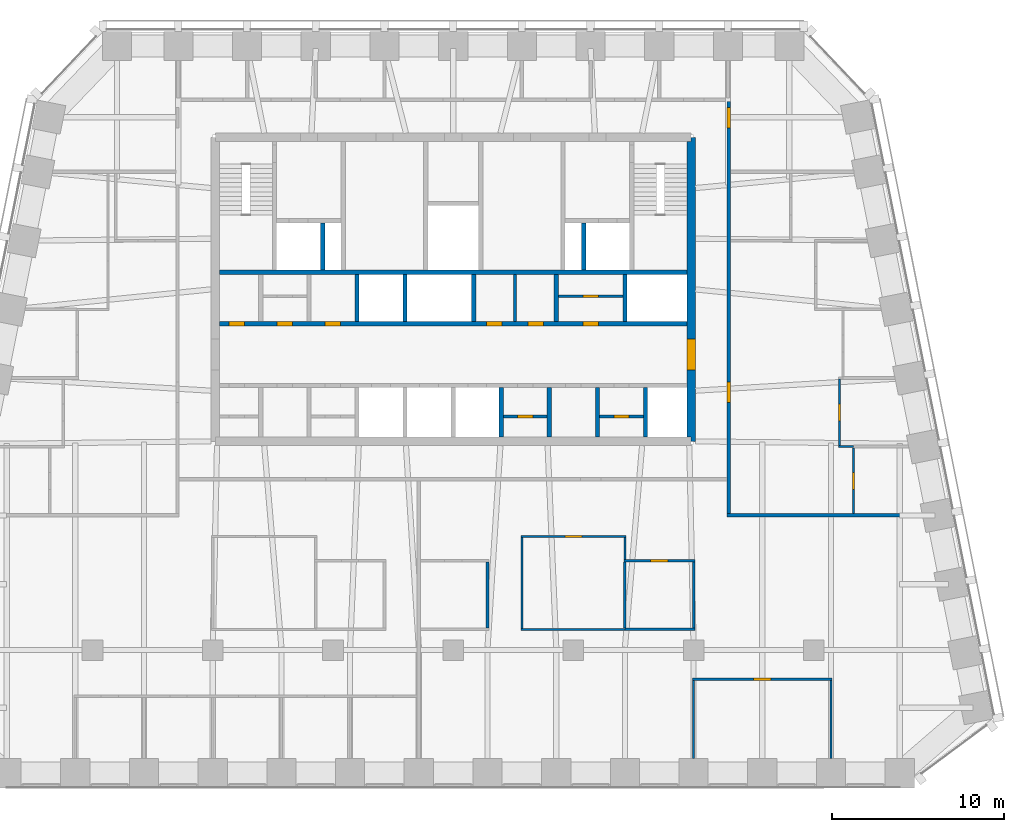
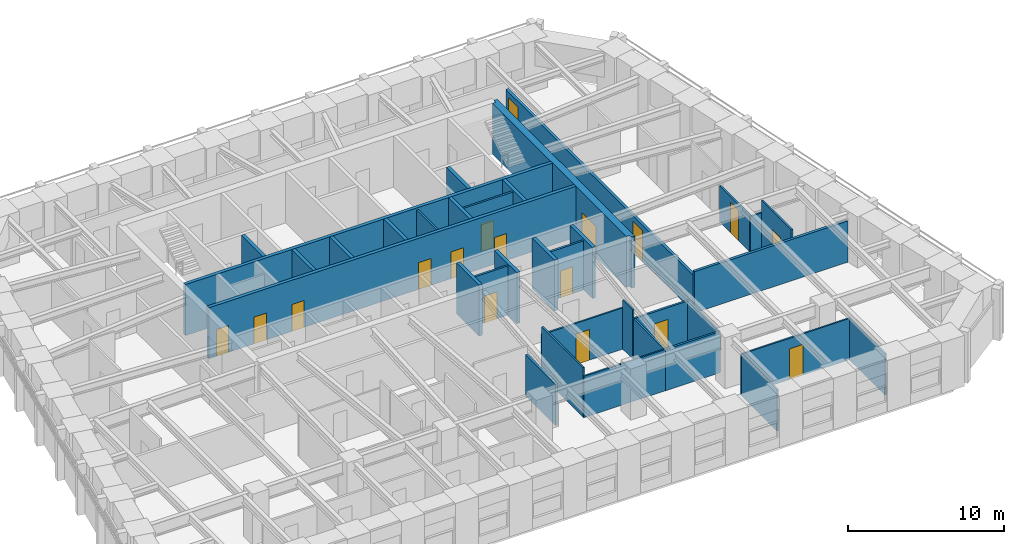
# One storey, part 7 of 11: 35 walls, 17 doors, 17 openings.
"""IFC4 building model written with IfcOpenShell, lengths in metres."""

from ifc_helpers import new_model, si_unit, direction, frame, frame_2d, origin, place, context, subcontext, project, spatial, polyline, rectangle, outline, extrude, material, layer, layer_set, type_object, element, fill, save


model = new_model("IFC4")

# Units and contexts
model_context = context("Model", 3, precision=1e-05, world=origin(), true_north=direction((0.0, 1.0)))
body_context = subcontext(model_context, "Body", "Model", "MODEL_VIEW")
ifc_project = project(units=[si_unit("LENGTHUNIT", "METRE"), si_unit("AREAUNIT", "SQUARE_METRE"), si_unit("VOLUMEUNIT", "CUBIC_METRE"), si_unit("PLANEANGLEUNIT", "RADIAN"), si_unit("MASSUNIT", "GRAM", prefix="KILO")], contexts=[model_context])

# Site, building, storey
site_placement = place(None, origin())
site = spatial("IfcSite", under=ifc_project, at=site_placement, CompositionType="ELEMENT")
building_placement = place(site_placement, origin())
building = spatial("IfcBuilding", under=site, at=building_placement, Name="Isbrekke Arena Tower", CompositionType="ELEMENT")
storey_placement = place(building_placement, frame((0.0, 0.0, 264.0)))
storey = spatial("IfcBuildingStorey", under=building, at=storey_placement, Name="L61", CompositionType="ELEMENT", Elevation=264.0)

# Wall, opening, door
ifc_material_1 = material(Name="Concrete B55 (C55/67)", Category="concrete")
ifc_layer_1 = layer(ifc_material_1, 0.5)
ifc_layer_set_1 = layer_set([ifc_layer_1], Name="CW5 CORE WALL 500")
wall_type_1 = type_object("IfcWallType", Name="CW5 CORE WALL 500", PredefinedType="SHEAR", material=ifc_layer_set_1)
wall_1_placement = place(storey_placement, frame((13.85009765625, 6.14990234375, 0.0), z_axis=(0.0, 0.0, 1.0), x_axis=(0.0, 1.0, 0.0)))
wall_1 = element("IfcWall", 1, at=wall_1_placement, inside=storey, type_object=wall_type_1, Name="Core wall E L61", PredefinedType="SHEAR", context=body_context, shape_type="SweptSolid", body=[
    extrude(outline(polyline([(0.0, -0.25), (17.7001953125, -0.25), (17.7001953125, 0.0), (17.4501953125, 0.0), (17.4501953125, 0.25), (0.25, 0.25), (0.25, 0.0), (0.0, 0.0), (0.0, -0.25)])), origin(), (0.0, 0.0, 1.0), 4.0),
])
opening_1_placement = place(wall_1_placement, frame((4.14990234375, 0.0, 0.0)))
opening_1 = element("IfcOpeningElement", 2, at=opening_1_placement, cuts=wall_1, Name="Opening D1", PredefinedType="OPENING", context=body_context, shape_type="SweptSolid", body=[
    extrude(rectangle(XDim=1.800048828125, YDim=2.39990234375, at=frame_2d((0.89990234375, 1.199951171875))), frame((0.0, 0.264892578125, 0.0), z_axis=(0.0, -1.0, 0.0), x_axis=(1.0, 0.0, 0.0)), (0.0, 0.0, 1.0), 0.52978515625),
])
ifc_material_2 = material(Name="Steel-framed glazed fire door", Category="steel")
door_type_1 = type_object("IfcDoorType", Name="D1 CORE LOBBY DOOR 1800 x 2400", OperationType="DOUBLE_DOOR_SINGLE_SWING", PredefinedType="DOOR", material=ifc_material_2)
door_1_placement = place(opening_1_placement, origin())
door_1 = element("IfcDoor", 3, at=door_1_placement, inside=storey, type_object=door_type_1, Name="D1 lift lobby door east L61", OperationType="DOUBLE_DOOR_SINGLE_SWING", OverallHeight=2.39990234375, OverallWidth=1.800048828125, PredefinedType="DOOR", context=body_context, shape_type="SweptSolid", body=[
    extrude(rectangle(XDim=1.800048828125, YDim=2.39990234375, at=frame_2d((0.89990234375, 1.199951171875))), frame((0.0, 0.249755859375, 0.0), z_axis=(0.0, -1.0, 0.0), x_axis=(1.0, 0.0, 0.0)), (0.0, 0.0, 1.0), 0.49951171875),
])
fill(opening_1, door_1)

# Wall, openings, doors
ifc_material_3 = material(Name="Concrete B45 (C45/55)", Category="concrete")
ifc_layer_2 = layer(ifc_material_3, 0.25)
ifc_layer_set_2 = layer_set([ifc_layer_2], Name="CW6 SHAFT WALL 250")
wall_type_2 = type_object("IfcWallType", Name="CW6 SHAFT WALL 250", PredefinedType="SHEAR", material=ifc_layer_set_2)
wall_2_placement = place(storey_placement, frame((-13.60009765625, 13.0, 0.0), z_axis=(0.0, 0.0, 1.0), x_axis=(1.0, 0.0, 0.0)))
wall_2 = element("IfcWall", 4, at=wall_2_placement, inside=storey, type_object=wall_type_2, Name="Core wall LN L61", PredefinedType="SHEAR", context=body_context, shape_type="SweptSolid", body=[
    extrude(rectangle(XDim=27.2001953125, YDim=0.25, at=frame_2d((13.60009765625, 0.0))), origin(), (0.0, 0.0, 1.0), 4.0),
])
opening_2_placement = place(wall_2_placement, frame((15.550048828125, 0.0, 0.0)))
opening_2 = element("IfcOpeningElement", 5, at=opening_2_placement, cuts=wall_2, Name="Opening D5", PredefinedType="OPENING", context=body_context, shape_type="SweptSolid", body=[
    extrude(rectangle(XDim=0.89990234375, YDim=2.10009765625, at=frame_2d((0.449951171875, 1.050048828125))), frame((0.0, 0.139892578125, 0.0), z_axis=(0.0, -1.0, 0.0), x_axis=(1.0, 0.0, 0.0)), (0.0, 0.0, 1.0), 0.27978515625),
])
opening_3_placement = place(wall_2_placement, frame((17.949951171875, 0.0, 0.0)))
opening_3 = element("IfcOpeningElement", 6, at=opening_3_placement, cuts=wall_2, Name="Opening D5", PredefinedType="OPENING", context=body_context, shape_type="SweptSolid", body=[
    extrude(rectangle(XDim=0.89990234375, YDim=2.10009765625, at=frame_2d((0.449951171875, 1.050048828125))), frame((0.0, 0.139892578125, 0.0), z_axis=(0.0, -1.0, 0.0), x_axis=(1.0, 0.0, 0.0)), (0.0, 0.0, 1.0), 0.27978515625),
])
opening_4_placement = place(wall_2_placement, frame((21.14990234375, 0.0, 0.0)))
opening_4 = element("IfcOpeningElement", 7, at=opening_4_placement, cuts=wall_2, Name="Opening D5", PredefinedType="OPENING", context=body_context, shape_type="SweptSolid", body=[
    extrude(rectangle(XDim=0.89990234375, YDim=2.10009765625, at=frame_2d((0.449951171875, 1.050048828125))), frame((0.0, 0.139892578125, 0.0), z_axis=(0.0, -1.0, 0.0), x_axis=(1.0, 0.0, 0.0)), (0.0, 0.0, 1.0), 0.27978515625),
])
opening_5_placement = place(wall_2_placement, frame((0.550048828125, 0.0, 0.0)))
opening_5 = element("IfcOpeningElement", 8, at=opening_5_placement, cuts=wall_2, Name="Opening D5", PredefinedType="OPENING", context=body_context, shape_type="SweptSolid", body=[
    extrude(rectangle(XDim=0.89990234375, YDim=2.10009765625, at=frame_2d((0.449951171875, 1.050048828125))), frame((0.0, 0.139892578125, 0.0), z_axis=(0.0, -1.0, 0.0), x_axis=(1.0, 0.0, 0.0)), (0.0, 0.0, 1.0), 0.27978515625),
])
opening_6_placement = place(wall_2_placement, frame((3.35009765625, 0.0, 0.0)))
opening_6 = element("IfcOpeningElement", 9, at=opening_6_placement, cuts=wall_2, Name="Opening D5", PredefinedType="OPENING", context=body_context, shape_type="SweptSolid", body=[
    extrude(rectangle(XDim=0.89990234375, YDim=2.10009765625, at=frame_2d((0.449951171875, 1.050048828125))), frame((0.0, 0.139892578125, 0.0), z_axis=(0.0, -1.0, 0.0), x_axis=(1.0, 0.0, 0.0)), (0.0, 0.0, 1.0), 0.27978515625),
])
opening_7_placement = place(wall_2_placement, frame((6.14990234375, 0.0, 0.0)))
opening_7 = element("IfcOpeningElement", 10, at=opening_7_placement, cuts=wall_2, Name="Opening D5", PredefinedType="OPENING", context=body_context, shape_type="SweptSolid", body=[
    extrude(rectangle(XDim=0.89990234375, YDim=2.10009765625, at=frame_2d((0.449951171875, 1.050048828125))), frame((0.0, 0.139892578125, 0.0), z_axis=(0.0, -1.0, 0.0), x_axis=(1.0, 0.0, 0.0)), (0.0, 0.0, 1.0), 0.27978515625),
])
ifc_material_4 = material(Name="Steel fire door", Category="steel")
door_type_2 = type_object("IfcDoorType", Name="D5 SERVICE DOOR 900 x 2100", OperationType="SINGLE_SWING_LEFT", PredefinedType="DOOR", material=ifc_material_4)
door_2_placement = place(opening_2_placement, origin())
door_2 = element("IfcDoor", 11, at=door_2_placement, inside=storey, type_object=door_type_2, Name="D5 cleaner's store door L61", OperationType="SINGLE_SWING_LEFT", OverallHeight=2.10009765625, OverallWidth=0.89990234375, PredefinedType="DOOR", context=body_context, shape_type="SweptSolid", body=[
    extrude(rectangle(XDim=0.89990234375, YDim=2.10009765625, at=frame_2d((0.449951171875, 1.050048828125))), frame((0.0, 0.124755859375, 0.0), z_axis=(0.0, -1.0, 0.0), x_axis=(1.0, 0.0, 0.0)), (0.0, 0.0, 1.0), 0.24951171875),
])
fill(opening_2, door_2)
door_3_placement = place(opening_3_placement, origin())
door_3 = element("IfcDoor", 12, at=door_3_placement, inside=storey, type_object=door_type_2, Name="D5 first-aid room door L61", OperationType="SINGLE_SWING_LEFT", OverallHeight=2.10009765625, OverallWidth=0.89990234375, PredefinedType="DOOR", context=body_context, shape_type="SweptSolid", body=[
    extrude(rectangle(XDim=0.89990234375, YDim=2.10009765625, at=frame_2d((0.449951171875, 1.050048828125))), frame((0.0, 0.124755859375, 0.0), z_axis=(0.0, -1.0, 0.0), x_axis=(1.0, 0.0, 0.0)), (0.0, 0.0, 1.0), 0.24951171875),
])
fill(opening_3, door_3)
door_4_placement = place(opening_4_placement, origin())
door_4 = element("IfcDoor", 13, at=door_4_placement, inside=storey, type_object=door_type_2, Name="D5 communications room door L61", OperationType="SINGLE_SWING_LEFT", OverallHeight=2.10009765625, OverallWidth=0.89990234375, PredefinedType="DOOR", context=body_context, shape_type="SweptSolid", body=[
    extrude(rectangle(XDim=0.89990234375, YDim=2.10009765625, at=frame_2d((0.449951171875, 1.050048828125))), frame((0.0, 0.124755859375, 0.0), z_axis=(0.0, -1.0, 0.0), x_axis=(1.0, 0.0, 0.0)), (0.0, 0.0, 1.0), 0.24951171875),
])
fill(opening_4, door_4)
door_5_placement = place(opening_5_placement, origin())
door_5 = element("IfcDoor", 14, at=door_5_placement, inside=storey, type_object=door_type_2, Name="D5 archive door L61", OperationType="SINGLE_SWING_LEFT", OverallHeight=2.10009765625, OverallWidth=0.89990234375, PredefinedType="DOOR", context=body_context, shape_type="SweptSolid", body=[
    extrude(rectangle(XDim=0.89990234375, YDim=2.10009765625, at=frame_2d((0.449951171875, 1.050048828125))), frame((0.0, 0.124755859375, 0.0), z_axis=(0.0, -1.0, 0.0), x_axis=(1.0, 0.0, 0.0)), (0.0, 0.0, 1.0), 0.24951171875),
])
fill(opening_5, door_5)
door_6_placement = place(opening_6_placement, origin())
door_6 = element("IfcDoor", 15, at=door_6_placement, inside=storey, type_object=door_type_2, Name="D5 tea point door L61", OperationType="SINGLE_SWING_LEFT", OverallHeight=2.10009765625, OverallWidth=0.89990234375, PredefinedType="DOOR", context=body_context, shape_type="SweptSolid", body=[
    extrude(rectangle(XDim=0.89990234375, YDim=2.10009765625, at=frame_2d((0.449951171875, 1.050048828125))), frame((0.0, 0.124755859375, 0.0), z_axis=(0.0, -1.0, 0.0), x_axis=(1.0, 0.0, 0.0)), (0.0, 0.0, 1.0), 0.24951171875),
])
fill(opening_6, door_6)
door_7_placement = place(opening_7_placement, origin())
door_7 = element("IfcDoor", 16, at=door_7_placement, inside=storey, type_object=door_type_2, Name="D5 technical room door L61", OperationType="SINGLE_SWING_LEFT", OverallHeight=2.10009765625, OverallWidth=0.89990234375, PredefinedType="DOOR", context=body_context, shape_type="SweptSolid", body=[
    extrude(rectangle(XDim=0.89990234375, YDim=2.10009765625, at=frame_2d((0.449951171875, 1.050048828125))), frame((0.0, 0.124755859375, 0.0), z_axis=(0.0, -1.0, 0.0), x_axis=(1.0, 0.0, 0.0)), (0.0, 0.0, 1.0), 0.24951171875),
])
fill(opening_7, door_7)

# Walls
wall_3_placement = place(storey_placement, frame((-13.60009765625, 16.0, 0.0), z_axis=(0.0, 0.0, 1.0), x_axis=(1.0, 0.0, 0.0)))
element("IfcWall", 17, at=wall_3_placement, inside=storey, type_object=wall_type_2, Name="Core wall NB L61", PredefinedType="SHEAR", context=body_context, shape_type="SweptSolid", body=[
    extrude(rectangle(XDim=27.2001953125, YDim=0.25, at=frame_2d((13.60009765625, 0.0))), origin(), (0.0, 0.0, 1.0), 4.0),
])
for number, where, z_axis, x_axis, name in (
    (18, (2.800048828125, 6.39990234375, 0.0), (0.0, 0.0, 1.0), (0.0, 1.0, 0.0), "Core wall SS06 L61"),
    (19, (5.60009765625, 6.39990234375, 0.0), (0.0, 0.0, 1.0), (0.0, 1.0, 0.0), "Core wall SS07 L61"),
    (20, (8.39990234375, 6.39990234375, 0.0), (0.0, 0.0, 1.0), (0.0, 1.0, 0.0), "Core wall SS08 L61"),
    (21, (11.199951171875, 6.39990234375, 0.0), (0.0, 0.0, 1.0), (0.0, 1.0, 0.0), "Core wall SS09 L61"),
):
    element("IfcWall", number, at=place(storey_placement, frame(where, z_axis=z_axis, x_axis=x_axis)), inside=storey, type_object=wall_type_2, Name=name, PredefinedType="SHEAR", context=body_context, shape_type="SweptSolid", body=[
        extrude(rectangle(XDim=2.875, YDim=0.25, at=frame_2d((1.4375, 0.0))), origin(), (0.0, 0.0, 1.0), 4.0),
    ])
for number, where, z_axis, x_axis, name in (
    (22, (-5.60009765625, 13.125, 0.0), (0.0, 0.0, 1.0), (0.0, 1.0, 0.0), "Core wall SN03 L61"),
    (23, (-2.800048828125, 13.125, 0.0), (0.0, 0.0, 1.0), (0.0, 1.0, 0.0), "Core wall SN04 L61"),
    (24, (1.199951171875, 13.125, 0.0), (0.0, 0.0, 1.0), (0.0, 1.0, 0.0), "Core wall SN05 L61"),
    (25, (6.0, 13.125, 0.0), (0.0, 0.0, 1.0), (0.0, 1.0, 0.0), "Core wall SN06 L61"),
    (26, (10.0, 13.125, 0.0), (0.0, 0.0, 1.0), (0.0, 1.0, 0.0), "Core wall SN07 L61"),
    (27, (-7.60009765625, 16.125, 0.0), (0.0, 0.0, 1.0), (0.0, 1.0, 0.0), "Core wall NFS1 L61"),
    (28, (7.60009765625, 16.125, 0.0), (0.0, 0.0, 1.0), (0.0, 1.0, 0.0), "Core wall NFS2 L61"),
):
    element("IfcWall", number, at=place(storey_placement, frame(where, z_axis=z_axis, x_axis=x_axis)), inside=storey, type_object=wall_type_2, Name=name, PredefinedType="SHEAR", context=body_context, shape_type="SweptSolid", body=[
        extrude(rectangle(XDim=2.75, YDim=0.25, at=frame_2d((1.375, 0.0))), origin(), (0.0, 0.0, 1.0), 4.0),
    ])
ifc_material_5 = material(Name="Gypsum board partition on steel studs", Category="steel")
ifc_layer_3 = layer(ifc_material_5, 0.14990234375)
ifc_layer_set_3 = layer_set([ifc_layer_3], Name="IW1 PARTITION 150")
wall_type_3 = type_object("IfcWallType", Name="IW1 PARTITION 150", PredefinedType="PARTITIONING", material=ifc_layer_set_3)
wall_4_placement = place(storey_placement, frame((10.0, -4.800048828125, 0.0), z_axis=(0.0, 0.0, 1.0), x_axis=(1.0, 0.0, 0.0)))
element("IfcWall", 29, at=wall_4_placement, inside=storey, type_object=wall_type_3, Name="IW1 partition 150 L61", PredefinedType="PARTITIONING", context=body_context, shape_type="SweptSolid", body=[
    extrude(rectangle(XDim=4.074951171875, YDim=0.14990234375, at=frame_2d((2.03759765625, 0.0))), origin(), (0.0, 0.0, 1.0), 3.22998046875),
])

# Wall, opening, door
wall_5_placement = place(storey_placement, frame((9.93994140625, -0.800048828125, 0.0), z_axis=(0.0, 0.0, 1.0), x_axis=(1.0, 0.0, 0.0)))
wall_5 = element("IfcWall", 30, at=wall_5_placement, inside=storey, type_object=wall_type_3, Name="IW1 partition 150 L61", PredefinedType="PARTITIONING", context=body_context, shape_type="SweptSolid", body=[
    extrude(rectangle(XDim=4.135009765625, YDim=0.14990234375, at=frame_2d((2.0673828125, 0.0))), origin(), (0.0, 0.0, 1.0), 3.22998046875),
])
opening_8_placement = place(wall_5_placement, frame((1.56005859375, 0.0, 0.0)))
opening_8 = element("IfcOpeningElement", 31, at=opening_8_placement, cuts=wall_5, Name="Opening D10", PredefinedType="OPENING", context=body_context, shape_type="SweptSolid", body=[
    extrude(rectangle(XDim=1.0, YDim=2.300048828125, at=frame_2d((0.5, 1.14990234375))), frame((0.0, 0.08984375, 0.0), z_axis=(0.0, -1.0, 0.0), x_axis=(1.0, 0.0, 0.0)), (0.0, 0.0, 1.0), 0.1796875),
])
ifc_material_6 = material(Name="Timber door", Category="wood")
door_type_3 = type_object("IfcDoorType", Name="D10 OFFICE DOOR 1000 x 2300", OperationType="SINGLE_SWING_LEFT", PredefinedType="DOOR", material=ifc_material_6)
door_8_placement = place(opening_8_placement, origin())
door_8 = element("IfcDoor", 32, at=door_8_placement, inside=storey, type_object=door_type_3, Name="D10 model store door L61", OperationType="SINGLE_SWING_LEFT", OverallHeight=2.300048828125, OverallWidth=1.0, PredefinedType="DOOR", context=body_context, shape_type="SweptSolid", body=[
    extrude(rectangle(XDim=1.0, YDim=2.300048828125, at=frame_2d((0.5, 1.14990234375))), frame((0.0, 0.07470703125, 0.0), z_axis=(0.0, -1.0, 0.0), x_axis=(1.0, 0.0, 0.0)), (0.0, 0.0, 1.0), 0.1494140625),
])
fill(opening_8, door_8)

# Walls
for number, where, z_axis, x_axis, name in (
    (33, (2.0, -4.72509765625, 0.0), (0.0, 0.0, 1.0), (0.0, 1.0, 0.0), "IW1 partition 150 L61"),
    (34, (10.0, -4.72509765625, 0.0), (0.0, 0.0, 1.0), (0.0, 1.0, 0.0), "IW1 partition 150 L61"),
    (35, (14.0, -4.72509765625, 0.0), (0.0, 0.0, 1.0), (0.0, 1.0, 0.0), "IW1 partition 150 L61"),
):
    element("IfcWall", number, at=place(storey_placement, frame(where, z_axis=z_axis, x_axis=x_axis)), inside=storey, type_object=wall_type_3, Name=name, PredefinedType="PARTITIONING", context=body_context, shape_type="SweptSolid", body=[
        extrude(rectangle(XDim=3.85009765625, YDim=0.14990234375, at=frame_2d((1.925048828125, 0.0))), origin(), (0.0, 0.0, 1.0), 3.22998046875),
    ])

# Wall, opening, door
ifc_material_7 = material(Name="Frameless glazed partition, laminated acoustic glass", Category="glass")
ifc_layer_4 = layer(ifc_material_7, 0.1201171875)
ifc_layer_set_4 = layer_set([ifc_layer_4], Name="IW2 GLAZED PARTITION 120")
wall_type_4 = type_object("IfcWallType", Name="IW2 GLAZED PARTITION 120", PredefinedType="PARTITIONING", material=ifc_layer_set_4)
wall_6_placement = place(storey_placement, frame((13.93994140625, -7.699951171875, 0.0), z_axis=(0.0, 0.0, 1.0), x_axis=(1.0, 0.0, 0.0)))
wall_6 = element("IfcWall", 36, at=wall_6_placement, inside=storey, type_object=wall_type_4, Name="IW2 glazed partition 120 L61", PredefinedType="PARTITIONING", context=body_context, shape_type="SweptSolid", body=[
    extrude(rectangle(XDim=8.1201171875, YDim=0.1201171875, at=frame_2d((4.06005859375, 0.0))), origin(), (0.0, 0.0, 1.0), 3.22998046875),
])
opening_9_placement = place(wall_6_placement, frame((3.56005859375, 0.0, 0.0)))
opening_9 = element("IfcOpeningElement", 37, at=opening_9_placement, cuts=wall_6, Name="Opening D11", PredefinedType="OPENING", context=body_context, shape_type="SweptSolid", body=[
    extrude(rectangle(XDim=1.0, YDim=2.39990234375, at=frame_2d((0.5, 1.199951171875))), frame((0.0, 0.074951171875, 0.0), z_axis=(0.0, -1.0, 0.0), x_axis=(1.0, 0.0, 0.0)), (0.0, 0.0, 1.0), 0.14990234375),
])
ifc_material_8 = material(Name="Frameless glazed door", Category="glass")
door_type_4 = type_object("IfcDoorType", Name="D11 GLAZED MEETING ROOM DOOR 1000 x 2400", OperationType="SINGLE_SWING_RIGHT", PredefinedType="DOOR", material=ifc_material_8)
door_9_placement = place(opening_9_placement, origin())
door_9 = element("IfcDoor", 38, at=door_9_placement, inside=storey, type_object=door_type_4, Name="D11 project room door L61", OperationType="SINGLE_SWING_RIGHT", OverallHeight=2.39990234375, OverallWidth=1.0, PredefinedType="DOOR", context=body_context, shape_type="SweptSolid", body=[
    extrude(rectangle(XDim=1.0, YDim=2.39990234375, at=frame_2d((0.5, 1.199951171875))), frame((0.0, 0.059814453125, 0.0), z_axis=(0.0, -1.0, 0.0), x_axis=(1.0, 0.0, 0.0)), (0.0, 0.0, 1.0), 0.11962890625),
])
fill(opening_9, door_9)

# Wall
wall_7_placement = place(storey_placement, frame((3.93994140625, -4.800048828125, 0.0), z_axis=(0.0, 0.0, 1.0), x_axis=(1.0, 0.0, 0.0)))
element("IfcWall", 39, at=wall_7_placement, inside=storey, type_object=wall_type_4, Name="IW2 glazed partition 120 L61", PredefinedType="PARTITIONING", context=body_context, shape_type="SweptSolid", body=[
    extrude(rectangle(XDim=6.06005859375, YDim=0.1201171875, at=frame_2d((3.030029296875, 0.0))), origin(), (0.0, 0.0, 1.0), 3.22998046875),
])

# Wall, opening, door
wall_8_placement = place(storey_placement, frame((3.93994140625, 0.60009765625, 0.0), z_axis=(0.0, 0.0, 1.0), x_axis=(1.0, 0.0, 0.0)))
wall_8 = element("IfcWall", 40, at=wall_8_placement, inside=storey, type_object=wall_type_4, Name="IW2 glazed partition 120 L61", PredefinedType="PARTITIONING", context=body_context, shape_type="SweptSolid", body=[
    extrude(rectangle(XDim=6.1201171875, YDim=0.1201171875, at=frame_2d((3.06005859375, 0.0))), origin(), (0.0, 0.0, 1.0), 3.22998046875),
])
opening_10_placement = place(wall_8_placement, frame((2.56005859375, 0.0, 0.0)))
opening_10 = element("IfcOpeningElement", 41, at=opening_10_placement, cuts=wall_8, Name="Opening D11", PredefinedType="OPENING", context=body_context, shape_type="SweptSolid", body=[
    extrude(rectangle(XDim=1.0, YDim=2.39990234375, at=frame_2d((0.5, 1.199951171875))), frame((0.0, 0.074951171875, 0.0), z_axis=(0.0, -1.0, 0.0), x_axis=(1.0, 0.0, 0.0)), (0.0, 0.0, 1.0), 0.14990234375),
])
door_10_placement = place(opening_10_placement, origin())
door_10 = element("IfcDoor", 42, at=door_10_placement, inside=storey, type_object=door_type_4, Name="D11 meeting room door L61", OperationType="SINGLE_SWING_RIGHT", OverallHeight=2.39990234375, OverallWidth=1.0, PredefinedType="DOOR", context=body_context, shape_type="SweptSolid", body=[
    extrude(rectangle(XDim=1.0, YDim=2.39990234375, at=frame_2d((0.5, 1.199951171875))), frame((0.0, 0.059814453125, 0.0), z_axis=(0.0, -1.0, 0.0), x_axis=(1.0, 0.0, 0.0)), (0.0, 0.0, 1.0), 0.11962890625),
])
fill(opening_10, door_10)

# Walls
wall_9_placement = place(storey_placement, frame((22.43994140625, 5.840087890625, 0.0), z_axis=(0.0, 0.0, 1.0), x_axis=(1.0, 0.0, 0.0)))
element("IfcWall", 43, at=wall_9_placement, inside=storey, type_object=wall_type_4, Name="IW2 glazed partition 120 L61", PredefinedType="PARTITIONING", context=body_context, shape_type="SweptSolid", body=[
    extrude(rectangle(XDim=0.860107421875, YDim=0.1201171875, at=frame_2d((0.43017578125, 0.0))), origin(), (0.0, 0.0, 1.0), 2.842041015625),
])
wall_10_placement = place(storey_placement, frame((4.0, -4.739990234375, 0.0), z_axis=(0.0, 0.0, 1.0), x_axis=(0.0, 1.0, 0.0)))
element("IfcWall", 44, at=wall_10_placement, inside=storey, type_object=wall_type_4, Name="IW2 glazed partition 120 L61", PredefinedType="PARTITIONING", context=body_context, shape_type="SweptSolid", body=[
    extrude(rectangle(XDim=5.280029296875, YDim=0.1201171875, at=frame_2d((2.64013671875, 0.0))), origin(), (0.0, 0.0, 1.0), 3.85009765625),
])
wall_11_placement = place(storey_placement, frame((10.0, -0.72509765625, 0.0), z_axis=(0.0, 0.0, 1.0), x_axis=(0.0, 1.0, 0.0)))
element("IfcWall", 45, at=wall_11_placement, inside=storey, type_object=wall_type_4, Name="IW2 glazed partition 120 L61", PredefinedType="PARTITIONING", context=body_context, shape_type="SweptSolid", body=[
    extrude(rectangle(XDim=1.26513671875, YDim=0.1201171875, at=frame_2d((0.632568359375, 0.0))), origin(), (0.0, 0.0, 1.0), 3.85009765625),
])
for number, where, z_axis, x_axis, name in (
    (46, (14.0, -12.324951171875, 0.0), (0.0, 0.0, 1.0), (0.0, 1.0, 0.0), "IW2 glazed partition 120 L61"),
    (47, (22.0, -12.324951171875, 0.0), (0.0, 0.0, 1.0), (0.0, 1.0, 0.0), "IW2 glazed partition 120 L61"),
):
    element("IfcWall", number, at=place(storey_placement, frame(where, z_axis=z_axis, x_axis=x_axis)), inside=storey, type_object=wall_type_4, Name=name, PredefinedType="PARTITIONING", context=body_context, shape_type="SweptSolid", body=[
        extrude(rectangle(XDim=4.56494140625, YDim=0.1201171875, at=frame_2d((2.282470703125, 0.0))), origin(), (0.0, 0.0, 1.0), 3.22998046875),
    ])

# Wall, opening, door
wall_12_placement = place(storey_placement, frame((22.5, 5.89990234375, 0.0), z_axis=(0.0, 0.0, 1.0), x_axis=(0.0, 1.0, 0.0)))
wall_12 = element("IfcWall", 48, at=wall_12_placement, inside=storey, type_object=wall_type_4, Name="IW2 glazed partition 120 L61", PredefinedType="PARTITIONING", context=body_context, shape_type="SweptSolid", body=[
    extrude(rectangle(XDim=3.880126953125, YDim=0.1201171875, at=frame_2d((1.93994140625, 0.0))), origin(), (0.0, 0.0, 1.0), 2.842041015625),
])
opening_11_placement = place(wall_12_placement, frame((1.43994140625, 0.0, 0.0)))
opening_11 = element("IfcOpeningElement", 49, at=opening_11_placement, cuts=wall_12, Name="Opening D11", PredefinedType="OPENING", context=body_context, shape_type="SweptSolid", body=[
    extrude(rectangle(XDim=1.0, YDim=2.39990234375, at=frame_2d((0.5, 1.199951171875))), frame((0.0, 0.074951171875, 0.0), z_axis=(0.0, -1.0, 0.0), x_axis=(1.0, 0.0, 0.0)), (0.0, 0.0, 1.0), 0.14990234375),
])
door_11_placement = place(opening_11_placement, origin())
door_11 = element("IfcDoor", 50, at=door_11_placement, inside=storey, type_object=door_type_4, Name="D11 meeting room door L61", OperationType="SINGLE_SWING_RIGHT", OverallHeight=2.39990234375, OverallWidth=1.0, PredefinedType="DOOR", context=body_context, shape_type="SweptSolid", body=[
    extrude(rectangle(XDim=1.0, YDim=2.39990234375, at=frame_2d((0.5, 1.199951171875))), frame((0.0, 0.059814453125, 0.0), z_axis=(0.0, -1.0, 0.0), x_axis=(1.0, 0.0, 0.0)), (0.0, 0.0, 1.0), 0.11962890625),
])
fill(opening_11, door_11)

wall_13_placement = place(storey_placement, frame((23.300048828125, 1.93994140625, 0.0), z_axis=(0.0, 0.0, 1.0), x_axis=(0.0, 1.0, 0.0)))
wall_13 = element("IfcWall", 51, at=wall_13_placement, inside=storey, type_object=wall_type_4, Name="IW2 glazed partition 120 L61", PredefinedType="PARTITIONING", context=body_context, shape_type="SweptSolid", body=[
    extrude(rectangle(XDim=3.8125, YDim=0.1201171875, at=frame_2d((1.90625, 0.0))), origin(), (0.0, 0.0, 1.0), 3.85009765625),
])
opening_12_placement = place(wall_13_placement, frame((1.39990234375, 0.0, 0.0)))
opening_12 = element("IfcOpeningElement", 52, at=opening_12_placement, cuts=wall_13, Name="Opening D11", PredefinedType="OPENING", context=body_context, shape_type="SweptSolid", body=[
    extrude(rectangle(XDim=1.0, YDim=2.39990234375, at=frame_2d((0.5, 1.199951171875))), frame((0.0, 0.074951171875, 0.0), z_axis=(0.0, -1.0, 0.0), x_axis=(1.0, 0.0, 0.0)), (0.0, 0.0, 1.0), 0.14990234375),
])
door_12_placement = place(opening_12_placement, origin())
door_12 = element("IfcDoor", 53, at=door_12_placement, inside=storey, type_object=door_type_4, Name="D11 meeting room door L61", OperationType="SINGLE_SWING_RIGHT", OverallHeight=2.39990234375, OverallWidth=1.0, PredefinedType="DOOR", context=body_context, shape_type="SweptSolid", body=[
    extrude(rectangle(XDim=1.0, YDim=2.39990234375, at=frame_2d((0.5, 1.199951171875))), frame((0.0, 0.059814453125, 0.0), z_axis=(0.0, -1.0, 0.0), x_axis=(1.0, 0.0, 0.0)), (0.0, 0.0, 1.0), 0.11962890625),
])
fill(opening_12, door_12)

# Wall
ifc_material_9 = material(Name="Gypsum board fire-cell wall on steel studs, two layers each side", Category="steel")
ifc_layer_5 = layer(ifc_material_9, 0.199951171875)
ifc_layer_set_5 = layer_set([ifc_layer_5], Name="IW3 FIRE-CELL WALL 200")
wall_type_5 = type_object("IfcWallType", Name="IW3 FIRE-CELL WALL 200", PredefinedType="PARTITIONING", material=ifc_layer_set_5)
wall_14_placement = place(storey_placement, frame((15.949951171875, 1.840087890625, 0.0), z_axis=(0.0, 0.0, 1.0), x_axis=(1.0, 0.0, 0.0)))
element("IfcWall", 54, at=wall_14_placement, inside=storey, type_object=wall_type_5, Name="IW3 fire-cell wall 200 L61", PredefinedType="PARTITIONING", context=body_context, shape_type="SweptSolid", body=[
    extrude(rectangle(XDim=11.373779296875, YDim=0.199951171875, at=frame_2d((5.68701171875, 0.0))), origin(), (0.0, 0.0, 1.0), 3.22998046875),
])

# Wall, openings, doors
wall_15_placement = place(storey_placement, frame((16.050048828125, 1.93994140625, 0.0), z_axis=(0.0, 0.0, 1.0), x_axis=(0.0, 1.0, 0.0)))
wall_15 = element("IfcWall", 55, at=wall_15_placement, inside=storey, type_object=wall_type_5, Name="IW3 fire-cell wall 200 L61", PredefinedType="PARTITIONING", context=body_context, shape_type="SweptSolid", body=[
    extrude(rectangle(XDim=24.010009765625, YDim=0.199951171875, at=frame_2d((12.0048828125, 0.0))), origin(), (0.0, 0.0, 1.0), 2.842041015625),
])
opening_13_placement = place(wall_15_placement, frame((22.4599609375, 0.0, 0.0)))
opening_13 = element("IfcOpeningElement", 56, at=opening_13_placement, cuts=wall_15, Name="Opening D12", PredefinedType="OPENING", context=body_context, shape_type="SweptSolid", body=[
    extrude(rectangle(XDim=1.199951171875, YDim=2.39990234375, at=frame_2d((0.60009765625, 1.199951171875))), frame((0.0, 0.11474609375, 0.0), z_axis=(0.0, -1.0, 0.0), x_axis=(1.0, 0.0, 0.0)), (0.0, 0.0, 1.0), 0.229736328125),
])
opening_14_placement = place(wall_15_placement, frame((6.4599609375, 0.0, 0.0)))
opening_14 = element("IfcOpeningElement", 57, at=opening_14_placement, cuts=wall_15, Name="Opening D12", PredefinedType="OPENING", context=body_context, shape_type="SweptSolid", body=[
    extrude(rectangle(XDim=1.199951171875, YDim=2.39990234375, at=frame_2d((0.60009765625, 1.199951171875))), frame((0.0, 0.11474609375, 0.0), z_axis=(0.0, -1.0, 0.0), x_axis=(1.0, 0.0, 0.0)), (0.0, 0.0, 1.0), 0.229736328125),
])
ifc_material_10 = material(Name="Timber fire door with vision panel", Category="wood")
door_type_5 = type_object("IfcDoorType", Name="D12 SUITE ENTRANCE DOOR 1200 x 2400", OperationType="SINGLE_SWING_LEFT", PredefinedType="DOOR", material=ifc_material_10)
door_13_placement = place(opening_13_placement, origin())
door_13 = element("IfcDoor", 58, at=door_13_placement, inside=storey, type_object=door_type_5, Name="D12 suite entrance NCE door L61", OperationType="SINGLE_SWING_LEFT", OverallHeight=2.39990234375, OverallWidth=1.199951171875, PredefinedType="DOOR", context=body_context, shape_type="SweptSolid", body=[
    extrude(rectangle(XDim=1.199951171875, YDim=2.39990234375, at=frame_2d((0.60009765625, 1.199951171875))), frame((0.0, 0.099609375, 0.0), z_axis=(0.0, -1.0, 0.0), x_axis=(1.0, 0.0, 0.0)), (0.0, 0.0, 1.0), 0.199462890625),
])
fill(opening_13, door_13)
door_14_placement = place(opening_14_placement, origin())
door_14 = element("IfcDoor", 59, at=door_14_placement, inside=storey, type_object=door_type_5, Name="D12 suite entrance NE door L61", OperationType="SINGLE_SWING_LEFT", OverallHeight=2.39990234375, OverallWidth=1.199951171875, PredefinedType="DOOR", context=body_context, shape_type="SweptSolid", body=[
    extrude(rectangle(XDim=1.199951171875, YDim=2.39990234375, at=frame_2d((0.60009765625, 1.199951171875))), frame((0.0, 0.099609375, 0.0), z_axis=(0.0, -1.0, 0.0), x_axis=(1.0, 0.0, 0.0)), (0.0, 0.0, 1.0), 0.199462890625),
])
fill(opening_14, door_14)

# Wall
ifc_material_11 = material(Name="Gypsum board fire-rated partition on steel studs, two layers each side", Category="steel")
ifc_layer_6 = layer(ifc_material_11, 0.14990234375)
ifc_layer_set_6 = layer_set([ifc_layer_6], Name="IW5 FIRE-RATED PARTITION 150")
wall_type_6 = type_object("IfcWallType", Name="IW5 FIRE-RATED PARTITION 150", PredefinedType="PARTITIONING", material=ifc_layer_set_6)
wall_16_placement = place(storey_placement, frame((3.60009765625, 13.125, 0.0), z_axis=(0.0, 0.0, 1.0), x_axis=(0.0, 1.0, 0.0)))
element("IfcWall", 60, at=wall_16_placement, inside=storey, type_object=wall_type_6, Name="IW5 fire-rated partition L61 core service rooms 1", PredefinedType="PARTITIONING", context=body_context, shape_type="SweptSolid", body=[
    extrude(rectangle(XDim=2.75, YDim=0.14990234375, at=frame_2d((1.375, 0.0))), origin(), (0.0, 0.0, 1.0), 3.85009765625),
])

# Wall, opening, door
wall_17_placement = place(storey_placement, frame((6.125, 14.60009765625, 0.0), z_axis=(0.0, 0.0, 1.0), x_axis=(1.0, 0.0, 0.0)))
wall_17 = element("IfcWall", 61, at=wall_17_placement, inside=storey, type_object=wall_type_6, Name="IW5 fire-rated partition L61 core service rooms 2", PredefinedType="PARTITIONING", context=body_context, shape_type="SweptSolid", body=[
    extrude(rectangle(XDim=3.75, YDim=0.14990234375, at=frame_2d((1.875, 0.0))), origin(), (0.0, 0.0, 1.0), 3.85009765625),
])
opening_15_placement = place(wall_17_placement, frame((1.425048828125, 0.0, 0.0)))
opening_15 = element("IfcOpeningElement", 62, at=opening_15_placement, cuts=wall_17, Name="Opening D5", PredefinedType="OPENING", context=body_context, shape_type="SweptSolid", body=[
    extrude(rectangle(XDim=0.89990234375, YDim=2.10009765625, at=frame_2d((0.449951171875, 1.050048828125))), frame((0.0, 0.08984375, 0.0), z_axis=(0.0, -1.0, 0.0), x_axis=(1.0, 0.0, 0.0)), (0.0, 0.0, 1.0), 0.1796875),
])
door_15_placement = place(opening_15_placement, origin())
door_15 = element("IfcDoor", 63, at=door_15_placement, inside=storey, type_object=door_type_2, Name="D5 technical room door L61", OperationType="SINGLE_SWING_LEFT", OverallHeight=2.10009765625, OverallWidth=0.89990234375, PredefinedType="DOOR", context=body_context, shape_type="SweptSolid", body=[
    extrude(rectangle(XDim=0.89990234375, YDim=2.10009765625, at=frame_2d((0.449951171875, 1.050048828125))), frame((0.0, 0.07470703125, 0.0), z_axis=(0.0, -1.0, 0.0), x_axis=(1.0, 0.0, 0.0)), (0.0, 0.0, 1.0), 0.1494140625),
])
fill(opening_15, door_15)

wall_18_placement = place(storey_placement, frame((2.925048828125, 7.60009765625, 0.0), z_axis=(0.0, 0.0, 1.0), x_axis=(1.0, 0.0, 0.0)))
wall_18 = element("IfcWall", 64, at=wall_18_placement, inside=storey, type_object=wall_type_6, Name="IW5 fire-rated partition L61 core service rooms 6", PredefinedType="PARTITIONING", context=body_context, shape_type="SweptSolid", body=[
    extrude(rectangle(XDim=2.550048828125, YDim=0.14990234375, at=frame_2d((1.27490234375, 0.0))), origin(), (0.0, 0.0, 1.0), 3.85009765625),
])
opening_16_placement = place(wall_18_placement, frame((0.824951171875, 0.0, 0.0)))
opening_16 = element("IfcOpeningElement", 65, at=opening_16_placement, cuts=wall_18, Name="Opening D5", PredefinedType="OPENING", context=body_context, shape_type="SweptSolid", body=[
    extrude(rectangle(XDim=0.89990234375, YDim=2.10009765625, at=frame_2d((0.449951171875, 1.050048828125))), frame((0.0, 0.08984375, 0.0), z_axis=(0.0, -1.0, 0.0), x_axis=(1.0, 0.0, 0.0)), (0.0, 0.0, 1.0), 0.1796875),
])
door_16_placement = place(opening_16_placement, origin())
door_16 = element("IfcDoor", 66, at=door_16_placement, inside=storey, type_object=door_type_2, Name="D5 tenant store door L61", OperationType="SINGLE_SWING_LEFT", OverallHeight=2.10009765625, OverallWidth=0.89990234375, PredefinedType="DOOR", context=body_context, shape_type="SweptSolid", body=[
    extrude(rectangle(XDim=0.89990234375, YDim=2.10009765625, at=frame_2d((0.449951171875, 1.050048828125))), frame((0.0, 0.07470703125, 0.0), z_axis=(0.0, -1.0, 0.0), x_axis=(1.0, 0.0, 0.0)), (0.0, 0.0, 1.0), 0.1494140625),
])
fill(opening_16, door_16)

wall_19_placement = place(storey_placement, frame((8.52490234375, 7.60009765625, 0.0), z_axis=(0.0, 0.0, 1.0), x_axis=(1.0, 0.0, 0.0)))
wall_19 = element("IfcWall", 67, at=wall_19_placement, inside=storey, type_object=wall_type_6, Name="IW5 fire-rated partition L61 core service rooms 7", PredefinedType="PARTITIONING", context=body_context, shape_type="SweptSolid", body=[
    extrude(rectangle(XDim=2.550048828125, YDim=0.14990234375, at=frame_2d((1.27490234375, 0.0))), origin(), (0.0, 0.0, 1.0), 3.85009765625),
])
opening_17_placement = place(wall_19_placement, frame((0.824951171875, 0.0, 0.0)))
opening_17 = element("IfcOpeningElement", 68, at=opening_17_placement, cuts=wall_19, Name="Opening D5", PredefinedType="OPENING", context=body_context, shape_type="SweptSolid", body=[
    extrude(rectangle(XDim=0.89990234375, YDim=2.10009765625, at=frame_2d((0.449951171875, 1.050048828125))), frame((0.0, 0.08984375, 0.0), z_axis=(0.0, -1.0, 0.0), x_axis=(1.0, 0.0, 0.0)), (0.0, 0.0, 1.0), 0.1796875),
])
door_17_placement = place(opening_17_placement, origin())
door_17 = element("IfcDoor", 69, at=door_17_placement, inside=storey, type_object=door_type_2, Name="D5 store door L61", OperationType="SINGLE_SWING_LEFT", OverallHeight=2.10009765625, OverallWidth=0.89990234375, PredefinedType="DOOR", context=body_context, shape_type="SweptSolid", body=[
    extrude(rectangle(XDim=0.89990234375, YDim=2.10009765625, at=frame_2d((0.449951171875, 1.050048828125))), frame((0.0, 0.07470703125, 0.0), z_axis=(0.0, -1.0, 0.0), x_axis=(1.0, 0.0, 0.0)), (0.0, 0.0, 1.0), 0.1494140625),
])
fill(opening_17, door_17)

save(model, "model.ifc")
